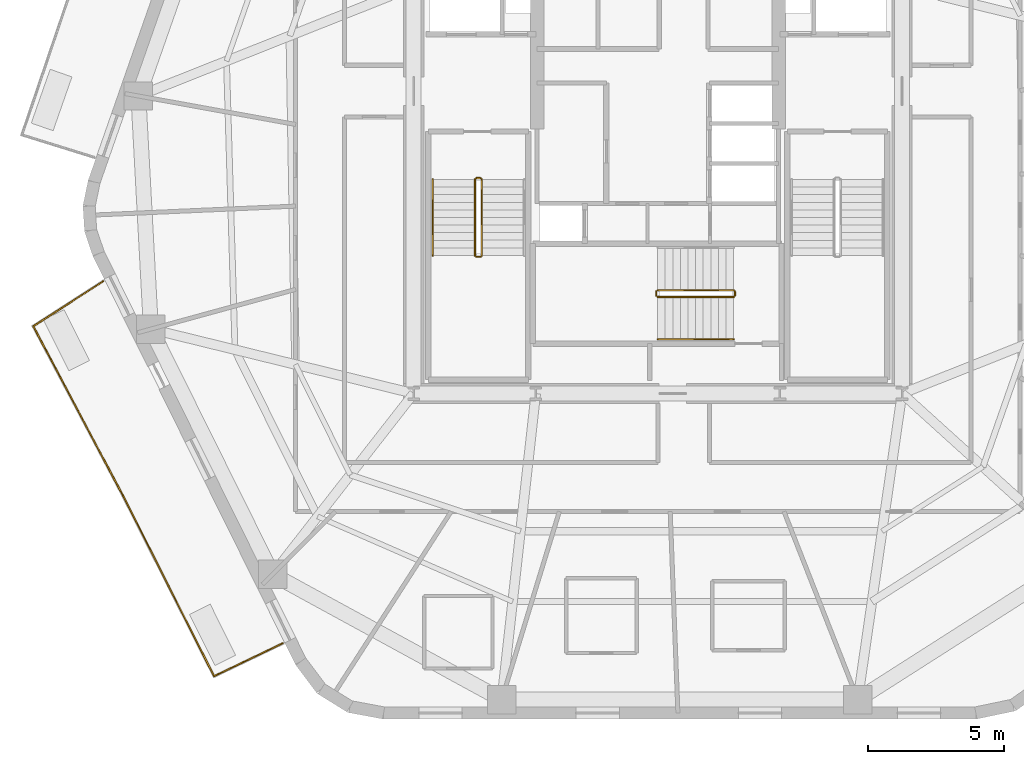
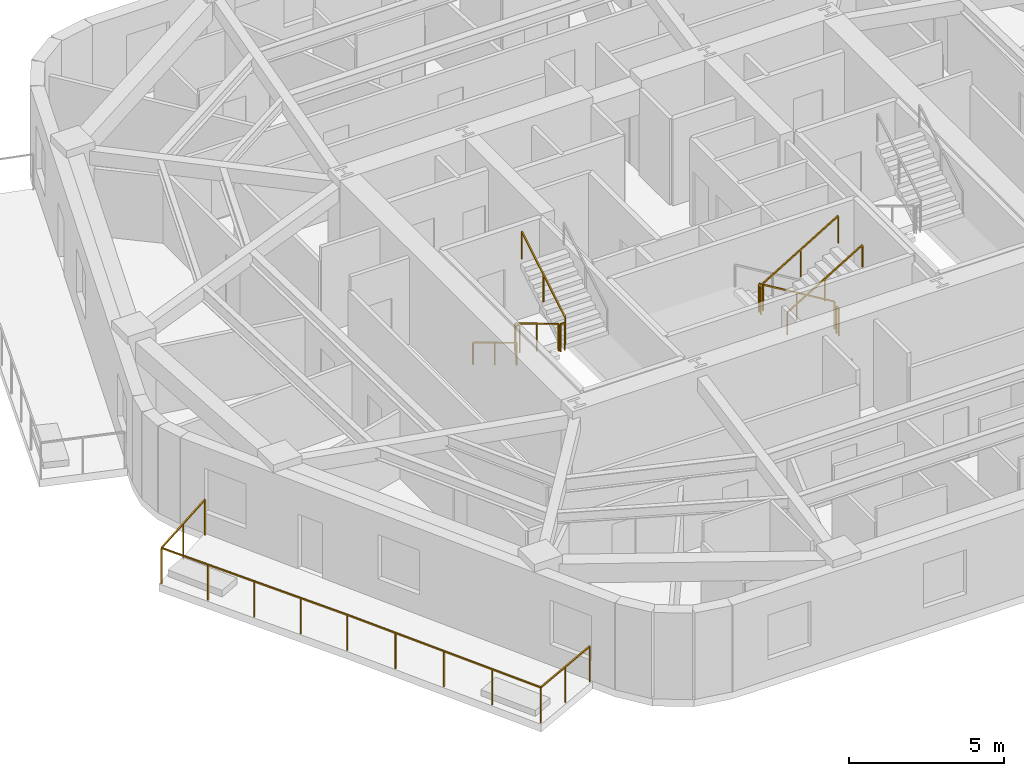
# One storey, part 8 of 10: 11 railings.
"""IFC4 building model written with IfcOpenShell, lengths in metres."""

import ifcopenshell
import ifcopenshell.guid

model = None  # the IFC model being written
_history = None  # IfcOwnerHistory: only IFC2X3 demands one
_inside = {}  # id of a spatial element -> (the spatial element, [elements in it])
_under = {}  # id of a project, library or spatial element -> (it, [spatial elements below it])
_declared = {}  # id of a project -> (the project, [libraries it declares])
_typed = {}  # id of a type object -> (the type object, [elements of that type])
_made_of = {}  # id of a material, layer set ... -> (it, [elements and type objects made of it])


def new_model(schema):
    """Start an empty IFC model of exactly this schema.

    Asked for "IFC4X3", IfcOpenShell would pick the latest addendum, in which some entities
    have other attributes; the version numbers below select the first issue.
    IFC2X3 requires an IfcOwnerHistory on every rooted entity: one is made here for all.
    """
    global model, _history
    if schema == "IFC4X3":
        model = ifcopenshell.file(schema_version=(4, 3, 0, 0))
    else:
        model = ifcopenshell.file(schema=schema)
    _inside.clear()
    _under.clear()
    _declared.clear()
    _typed.clear()
    _made_of.clear()
    _history = None
    if model.schema == "IFC2X3":
        org = make("IfcOrganization", Name="unknown")
        user = make(
            "IfcPersonAndOrganization",
            ThePerson=make("IfcPerson", FamilyName="unknown"),
            TheOrganization=org,
        )
        app = make(
            "IfcApplication",
            ApplicationDeveloper=org,
            Version="unknown",
            ApplicationFullName="unknown",
            ApplicationIdentifier="unknown",
        )
        _history = make(
            "IfcOwnerHistory",
            OwningUser=user,
            OwningApplication=app,
            ChangeAction="ADDED",
            CreationDate=0,
        )
    return model


def make(cls, **values):
    """One entity of the class cls with the attributes given. An attribute that is None is left unset."""
    return model.create_entity(
        cls, **{name: value for name, value in values.items() if value is not None}
    )


def rooted(cls, **values):
    """An entity with a GlobalId (a new one), such as an element, a storey or a relation."""
    return make(cls, GlobalId=ifcopenshell.guid.new(), OwnerHistory=_history, **values)


def si_unit(unit_type, name, prefix=None):
    """IfcSIUnit, for example si_unit("LENGTHUNIT", "METRE", prefix="MILLI")."""
    return make("IfcSIUnit", UnitType=unit_type, Prefix=prefix, Name=name)


def assignment(units):
    """IfcUnitAssignment: the units of a project."""
    return None if units is None else make("IfcUnitAssignment", Units=units)


def point(xyz):
    """IfcCartesianPoint."""
    return None if xyz is None else make("IfcCartesianPoint", Coordinates=xyz)


def direction(xyz):
    """IfcDirection."""
    return None if xyz is None else make("IfcDirection", DirectionRatios=xyz)


def frame(location, z_axis=None, x_axis=None):
    """IfcAxis2Placement3D, a coordinate frame: its origin and axes. An axis left out is left unset."""
    return make(
        "IfcAxis2Placement3D",
        Location=point(location),
        Axis=direction(z_axis),
        RefDirection=direction(x_axis),
    )


def frame_2d(location, x_axis=None):
    """IfcAxis2Placement2D, a coordinate frame in the plane: its origin and x axis."""
    return make(
        "IfcAxis2Placement2D", Location=point(location), RefDirection=direction(x_axis)
    )


def origin():
    """The frame at (0, 0, 0) with its axes left unset."""
    return frame((0.0, 0.0, 0.0))


def origin_2d():
    """The frame at (0, 0) in the plane with its x axis left unset."""
    return frame_2d((0.0, 0.0))


def place(relative_to, where):
    """IfcLocalPlacement: puts the frame where relative to a parent placement (None: the world)."""
    return make(
        "IfcLocalPlacement", PlacementRelTo=relative_to, RelativePlacement=where
    )


def context(
    kind, dimensions, precision=None, world=None, true_north=None, identifier=None
):
    """IfcGeometricRepresentationContext, for example the 3D "Model" context."""
    return make(
        "IfcGeometricRepresentationContext",
        ContextIdentifier=identifier,
        ContextType=kind,
        CoordinateSpaceDimension=dimensions,
        Precision=precision,
        WorldCoordinateSystem=world,
        TrueNorth=true_north,
    )


def subcontext(parent, identifier, kind, view, scale=None):
    """IfcGeometricRepresentationSubContext, for example "Body" below "Model"."""
    return make(
        "IfcGeometricRepresentationSubContext",
        ContextIdentifier=identifier,
        ContextType=kind,
        ParentContext=parent,
        TargetScale=scale,
        TargetView=view,
    )


def project(units=None, contexts=None):
    """IfcProject with its units and contexts."""
    return rooted(
        "IfcProject",
        Name="project",
        RepresentationContexts=contexts,
        UnitsInContext=assignment(units),
    )


def spatial(cls, under=None, at=None, **own):
    """A site, building, storey or space (cls), placed at a placement, below another one or the project."""
    s = rooted(cls, ObjectPlacement=at, **own)
    if under is not None:
        _under.setdefault(under.id(), (under, []))[1].append(s)
    return s


def profile(cls, at=None, kind="AREA", **sizes):
    """A parametric profile (cls). Its sizes go by their IFC names, for example OverallWidth=200.0."""
    return make(cls, ProfileType=kind, Position=at, **sizes)


def rectangle(**sizes):
    """IfcRectangleProfileDef."""
    return profile("IfcRectangleProfileDef", **sizes)


def extrude(swept, where, along, depth):
    """IfcExtrudedAreaSolid: the profile swept, set in the frame where, extruded along a direction by depth."""
    return make(
        "IfcExtrudedAreaSolid",
        SweptArea=swept,
        Position=where,
        ExtrudedDirection=direction(along),
        Depth=depth,
    )


def shape(context_of_items, identifier, shape_type, items):
    """IfcShapeRepresentation: the items that make up one representation, for example the "Body"."""
    return make(
        "IfcShapeRepresentation",
        ContextOfItems=context_of_items,
        RepresentationIdentifier=identifier,
        RepresentationType=shape_type,
        Items=items,
    )


def material(Name=None, Category=None):
    """IfcMaterial."""
    return make("IfcMaterial", Name=Name, Category=Category)


def layer(
    of_material, thickness, ventilated=None, Name=None, Category=None, Priority=None
):
    """IfcMaterialLayer: one layer of a wall or slab, of a material (None: an air gap)."""
    return make(
        "IfcMaterialLayer",
        Material=of_material,
        LayerThickness=thickness,
        IsVentilated=ventilated,
        Name=Name,
        Category=Category,
        Priority=Priority,
    )


def layer_set(layers, Name=None):
    """IfcMaterialLayerSet."""
    return make("IfcMaterialLayerSet", MaterialLayers=layers, LayerSetName=Name)


def made_of(thing, what):
    """Note that an element or type object is made of a material, layer set ...; save() writes the relation."""
    if what is not None:
        _made_of.setdefault(what.id(), (what, []))[1].append(thing)
    return thing


def type_object(cls, material=None, **own):
    """A type object (cls), such as IfcWallType, which elements share."""
    return made_of(rooted(cls, **own), material)


def element(
    cls,
    number,
    at=None,
    inside=None,
    cuts=None,
    type_object=None,
    material=None,
    context=None,
    identifier="Body",
    shape_type=None,
    held_by="IfcProductDefinitionShape",
    body=None,
    shapes=None,
    **own,
):
    """One element of the class cls, such as IfcWall. Its Tag is "e" and its number.

    at: its placement. inside: the storey or other place that contains it. cuts: it is an
    opening in that element (IfcRelVoidsElement). A single representation is given by context,
    identifier, shape_type and body (its items); several are given by shapes. held_by: the class
    of the entity that holds the representations. save() writes the other relations.
    """
    e = rooted(cls, Tag="e%d" % number, ObjectPlacement=at, **own)
    if body is not None:
        shapes = [shape(context, identifier, shape_type, body)]
    if shapes is not None:
        e.Representation = make(held_by, Representations=shapes)
    if inside is not None:
        _inside.setdefault(inside.id(), (inside, []))[1].append(e)
    if cuts is not None:
        rooted(
            "IfcRelVoidsElement", RelatingBuildingElement=cuts, RelatedOpeningElement=e
        )
    if type_object is not None:
        _typed.setdefault(type_object.id(), (type_object, []))[1].append(e)
    return made_of(e, material)


def aggregate(whole, parts):
    """IfcRelAggregates: a whole, such as a stair, and the parts it consists of."""
    return rooted("IfcRelAggregates", RelatingObject=whole, RelatedObjects=parts)


def save(model, path):
    """Write the relations noted so far, then the file.

    IfcRelAggregates (storeys below a building ...), IfcRelContainedInSpatialStructure (elements
    in a storey), IfcRelDefinesByType, IfcRelAssociatesMaterial and IfcRelDeclares: one each for
    every whole, place, type object, material and project.
    """
    for whole, parts in _under.values():
        aggregate(whole, parts)
    for where, things in _inside.values():
        rooted(
            "IfcRelContainedInSpatialStructure",
            RelatedElements=things,
            RelatingStructure=where,
        )
    for kind, things in _typed.values():
        rooted("IfcRelDefinesByType", RelatedObjects=things, RelatingType=kind)
    for what, things in _made_of.values():
        rooted("IfcRelAssociatesMaterial", RelatedObjects=things, RelatingMaterial=what)
    for by, libraries in _declared.values():
        rooted("IfcRelDeclares", RelatingContext=by, RelatedDefinitions=libraries)
    model.write(path)


model = new_model("IFC4")

# Units and contexts
model_context = context("Model", 3, precision=1e-05, world=origin(), true_north=direction((0.0, 1.0)))
body_context = subcontext(model_context, "Body", "Model", "MODEL_VIEW")
ifc_project = project(units=[si_unit("LENGTHUNIT", "METRE"), si_unit("AREAUNIT", "SQUARE_METRE"), si_unit("VOLUMEUNIT", "CUBIC_METRE"), si_unit("PLANEANGLEUNIT", "RADIAN"), si_unit("MASSUNIT", "GRAM", prefix="KILO")], contexts=[model_context])

# Site, building, storey
site_placement = place(None, origin())
site = spatial("IfcSite", under=ifc_project, at=site_placement, CompositionType="ELEMENT")
building_placement = place(site_placement, origin())
building = spatial("IfcBuilding", under=site, at=building_placement, Name="Kilnhurst Terrace Hotel", CompositionType="ELEMENT")
storey_placement = place(building_placement, frame((0.0, 0.0, 175.60009765625)))
storey = spatial("IfcBuildingStorey", under=building, at=storey_placement, Name="L43", CompositionType="ELEMENT", Elevation=175.60009765625)

# Railings
ifc_material_1 = material(Name="Laminated SentryGlas and Stainless Steel AISI 316L Balustrade", Category="steel")
ifc_layer_1 = layer(ifc_material_1, 0.070068359375, Name="Laminated SentryGlas and Stainless Steel AISI 316L Balustrade")
ifc_layer_set_1 = layer_set([ifc_layer_1], Name="Laminated SentryGlas and Stainless Steel AISI 316L Balustrade")
railing_type_1 = type_object("IfcRailingType", Name="RLG-BAL-1420", PredefinedType="BALUSTRADE", material=ifc_layer_set_1)
railing_1_placement = place(storey_placement, frame((-13.83544921875, -16.709716796875, 0.0)))
element("IfcRailing", 1, at=railing_1_placement, inside=storey, type_object=railing_type_1, Name="L43 Exterior Terrace Guardrail BAL-L2B.1", PredefinedType="BALUSTRADE", context=body_context, shape_type="SweptSolid", body=[
    extrude(rectangle(XDim=0.048095703125, YDim=0.048095703125, at=origin_2d()), frame((0.0, 0.0, 1.39599609375), z_axis=(-0.901469931109, -0.43284173009, 0.0), x_axis=(0.43284173009, -0.901469931109, 0.0)), (0.0, 0.0, 1.0), 2.797119140625),
    extrude(rectangle(XDim=0.048095703125, YDim=0.048095703125, at=origin_2d()), frame((-2.521484375, -1.210693359375, 1.39599609375), z_axis=(-0.450616671131, 0.892717545307, 0.0), x_axis=(-0.892717545307, -0.450616671131, 0.0)), (0.0, 0.0, 1.0), 7.453857421875),
    extrude(rectangle(XDim=0.048095703125, YDim=0.048095703125, at=origin_2d()), frame((-5.88037109375, 5.443603515625, 1.39599609375), z_axis=(-0.4472135955, 0.894427191, 0.0), x_axis=(-0.894427191, -0.4472135955, 0.0)), (0.0, 0.0, 1.0), 0.0009765625),
    extrude(rectangle(XDim=0.048095703125, YDim=0.048095703125, at=origin_2d()), frame((-5.880859375, 5.444580078125, 1.39599609375), z_axis=(-0.46789407085, 0.883784554325, 0.0), x_axis=(-0.883784554325, -0.46789407085, 0.0)), (0.0, 0.0, 1.0), 7.0654296875),
    extrude(rectangle(XDim=0.048095703125, YDim=0.048095703125, at=origin_2d()), frame((-9.186767578125, 11.68896484375, 1.39599609375), z_axis=(0.841139546062, 0.540818143233, 0.0), x_axis=(-0.540818143233, 0.841139546062, 0.0)), (0.0, 0.0, 1.0), 3.056640625),
    extrude(rectangle(XDim=0.0419921875, YDim=0.0419921875, at=origin_2d()), origin(), (0.0, 0.0, 1.0), 1.371826171875),
    extrude(rectangle(XDim=0.0419921875, YDim=0.0419921875, at=origin_2d()), frame((-1.2607421875, -0.60546875, 0.0)), (0.0, 0.0, 1.0), 1.371826171875),
    extrude(rectangle(XDim=0.0419921875, YDim=0.0419921875, at=origin_2d()), frame((-2.521484375, -1.210693359375, 0.0)), (0.0, 0.0, 1.0), 1.371826171875),
    extrude(rectangle(XDim=0.0419921875, YDim=0.0419921875, at=origin_2d()), frame((-3.361328125, 0.452880859375, 0.0)), (0.0, 0.0, 1.0), 1.371826171875),
    extrude(rectangle(XDim=0.0419921875, YDim=0.0419921875, at=origin_2d()), frame((-4.200927734375, 2.116455078125, 0.0)), (0.0, 0.0, 1.0), 1.371826171875),
    extrude(rectangle(XDim=0.0419921875, YDim=0.0419921875, at=origin_2d()), frame((-5.04052734375, 3.780029296875, 0.0)), (0.0, 0.0, 1.0), 1.371826171875),
    extrude(rectangle(XDim=0.0419921875, YDim=0.0419921875, at=origin_2d()), frame((-5.88037109375, 5.443603515625, 0.0)), (0.0, 0.0, 1.0), 1.371826171875),
    extrude(rectangle(XDim=0.0419921875, YDim=0.0419921875, at=origin_2d()), frame((-5.880859375, 5.444580078125, 0.0)), (0.0, 0.0, 1.0), 1.371826171875),
    extrude(rectangle(XDim=0.0419921875, YDim=0.0419921875, at=origin_2d()), frame((-6.707275390625, 7.005615234375, 0.0)), (0.0, 0.0, 1.0), 1.371826171875),
    extrude(rectangle(XDim=0.0419921875, YDim=0.0419921875, at=origin_2d()), frame((-7.53369140625, 8.56689453125, 0.0)), (0.0, 0.0, 1.0), 1.371826171875),
    extrude(rectangle(XDim=0.0419921875, YDim=0.0419921875, at=origin_2d()), frame((-8.3603515625, 10.1279296875, 0.0)), (0.0, 0.0, 1.0), 1.371826171875),
    extrude(rectangle(XDim=0.0419921875, YDim=0.0419921875, at=origin_2d()), frame((-9.186767578125, 11.68896484375, 0.0)), (0.0, 0.0, 1.0), 1.371826171875),
    extrude(rectangle(XDim=0.0419921875, YDim=0.0419921875, at=origin_2d()), frame((-7.9013671875, 12.515625, 0.0)), (0.0, 0.0, 1.0), 1.371826171875),
    extrude(rectangle(XDim=0.0419921875, YDim=0.0419921875, at=origin_2d()), frame((-6.61572265625, 13.342041015625, 0.0)), (0.0, 0.0, 1.0), 1.371826171875),
])
ifc_material_2 = material(Name="Powder-Coated Steel ASTM A500 Grade B", Category="steel")
ifc_layer_2 = layer(ifc_material_2, 0.050048828125, Name="Powder-Coated Steel ASTM A500 Grade B")
ifc_layer_set_2 = layer_set([ifc_layer_2], Name="Powder-Coated Steel ASTM A500 Grade B")
railing_type_2 = type_object("IfcRailingType", Name="RLG-ST-GRD-1100", PredefinedType="GUARDRAIL", material=ifc_layer_set_2)
railing_2_placement = place(storey_placement, frame((-6.739990234375, 0.389892578125, 0.16796875)))
element("IfcRailing", 2, at=railing_2_placement, inside=storey, type_object=railing_type_2, Name="L43 ST-1 stair guard 1", PredefinedType="GUARDRAIL", context=body_context, shape_type="SweptSolid", body=[
    extrude(rectangle(XDim=0.048095703125, YDim=0.048095703125, at=origin_2d()), frame((0.0, 0.0, 1.076171875), z_axis=(0.0, -0.857222391501, 0.514946377315), x_axis=(1.0, 0.0, 0.0)), (0.0, 0.0, 1.0), 3.26611328125),
    extrude(rectangle(XDim=0.0419921875, YDim=0.0419921875, at=origin_2d()), origin(), (0.0, 0.0, 1.0), 1.052001953125),
    extrude(rectangle(XDim=0.0419921875, YDim=0.0419921875, at=origin_2d()), frame((0.0, -1.39990234375, 0.8408203125)), (0.0, 0.0, 1.0), 1.052001953125),
    extrude(rectangle(XDim=0.0419921875, YDim=0.0419921875, at=origin_2d()), frame((0.0, -2.7998046875, 1.681884765625)), (0.0, 0.0, 1.0), 1.052001953125),
])
railing_3_placement = place(storey_placement, frame((-6.68994140625, -2.4599609375, 1.849853515625)))
element("IfcRailing", 3, at=railing_3_placement, inside=storey, type_object=railing_type_2, Name="L43 ST-1 stair guard 2", PredefinedType="GUARDRAIL", context=body_context, shape_type="SweptSolid", body=[
    extrude(rectangle(XDim=0.048095703125, YDim=0.048095703125, at=origin_2d()), frame((0.0, 0.0, 1.076171875), z_axis=(1.0, 0.0, 0.0), x_axis=(0.0, 1.0, 0.0)), (0.0, 0.0, 1.0), 0.14990234375),
    extrude(rectangle(XDim=0.0419921875, YDim=0.0419921875, at=origin_2d()), origin(), (0.0, 0.0, 1.0), 1.052001953125),
    extrude(rectangle(XDim=0.0419921875, YDim=0.0419921875, at=origin_2d()), frame((0.14990234375, 0.0, 0.0)), (0.0, 0.0, 1.0), 1.052001953125),
])
railing_4_placement = place(storey_placement, frame((-6.489990234375, -2.409912109375, 2.01806640625)))
element("IfcRailing", 4, at=railing_4_placement, inside=storey, type_object=railing_type_2, Name="L43 ST-1 stair guard 3", PredefinedType="GUARDRAIL", context=body_context, shape_type="SweptSolid", body=[
    extrude(rectangle(XDim=0.048095703125, YDim=0.048095703125, at=origin_2d()), frame((0.0, 0.0, 1.076171875), z_axis=(0.0, 0.857222391501, 0.514946377315), x_axis=(-1.0, 0.0, 0.0)), (0.0, 0.0, 1.0), 3.26611328125),
    extrude(rectangle(XDim=0.0419921875, YDim=0.0419921875, at=origin_2d()), origin(), (0.0, 0.0, 1.0), 1.052001953125),
    extrude(rectangle(XDim=0.0419921875, YDim=0.0419921875, at=origin_2d()), frame((0.0, 1.39990234375, 0.8408203125)), (0.0, 0.0, 1.0), 1.052001953125),
    extrude(rectangle(XDim=0.0419921875, YDim=0.0419921875, at=origin_2d()), frame((0.0, 2.7998046875, 1.681884765625)), (0.0, 0.0, 1.0), 1.052001953125),
])
railing_5_placement = place(storey_placement, frame((-6.68994140625, 0.43994140625, 0.0)))
element("IfcRailing", 5, at=railing_5_placement, inside=storey, type_object=railing_type_2, Name="L43 ST-1 stair guard 4", PredefinedType="GUARDRAIL", context=body_context, shape_type="SweptSolid", body=[
    extrude(rectangle(XDim=0.048095703125, YDim=0.048095703125, at=origin_2d()), frame((0.0, 0.0, 1.076171875), z_axis=(1.0, 0.0, 0.0), x_axis=(0.0, 1.0, 0.0)), (0.0, 0.0, 1.0), 0.14990234375),
    extrude(rectangle(XDim=0.0419921875, YDim=0.0419921875, at=origin_2d()), origin(), (0.0, 0.0, 1.0), 1.052001953125),
    extrude(rectangle(XDim=0.0419921875, YDim=0.0419921875, at=origin_2d()), frame((0.14990234375, 0.0, 0.0)), (0.0, 0.0, 1.0), 1.052001953125),
])
railing_6_placement = place(storey_placement, frame((2.7900390625, -3.68994140625, 0.16796875)))
element("IfcRailing", 6, at=railing_6_placement, inside=storey, type_object=railing_type_2, Name="L43 ST-3 stair guard 1", PredefinedType="GUARDRAIL", context=body_context, shape_type="SweptSolid", body=[
    extrude(rectangle(XDim=0.048095703125, YDim=0.048095703125, at=origin_2d()), frame((0.0, 0.0, 1.076171875), z_axis=(-0.857242210791, 0.0, 0.514913383045), x_axis=(0.0, -1.0, 0.0)), (0.0, 0.0, 1.0), 3.266357421875),
    extrude(rectangle(XDim=0.0419921875, YDim=0.0419921875, at=origin_2d()), origin(), (0.0, 0.0, 1.0), 1.052001953125),
    extrude(rectangle(XDim=0.0419921875, YDim=0.0419921875, at=origin_2d()), frame((-1.39990234375, 0.0, 0.8408203125)), (0.0, 0.0, 1.0), 1.052001953125),
    extrude(rectangle(XDim=0.0419921875, YDim=0.0419921875, at=origin_2d()), frame((-2.800048828125, 0.0, 1.681884765625)), (0.0, 0.0, 1.0), 1.052001953125),
])
railing_7_placement = place(storey_placement, frame((-0.06005859375, -3.739990234375, 1.849853515625)))
element("IfcRailing", 7, at=railing_7_placement, inside=storey, type_object=railing_type_2, Name="L43 ST-3 stair guard 2", PredefinedType="GUARDRAIL", context=body_context, shape_type="SweptSolid", body=[
    extrude(rectangle(XDim=0.048095703125, YDim=0.048095703125, at=origin_2d()), frame((0.0, 0.0, 1.076171875), z_axis=(0.0, -1.0, 0.0), x_axis=(1.0, 0.0, 0.0)), (0.0, 0.0, 1.0), 0.14990234375),
    extrude(rectangle(XDim=0.0419921875, YDim=0.0419921875, at=origin_2d()), origin(), (0.0, 0.0, 1.0), 1.052001953125),
    extrude(rectangle(XDim=0.0419921875, YDim=0.0419921875, at=origin_2d()), frame((0.0, -0.14990234375, 0.0)), (0.0, 0.0, 1.0), 1.052001953125),
])
railing_8_placement = place(storey_placement, frame((-0.010009765625, -3.93994140625, 2.01806640625)))
element("IfcRailing", 8, at=railing_8_placement, inside=storey, type_object=railing_type_2, Name="L43 ST-3 stair guard 3", PredefinedType="GUARDRAIL", context=body_context, shape_type="SweptSolid", body=[
    extrude(rectangle(XDim=0.048095703125, YDim=0.048095703125, at=origin_2d()), frame((0.0, 0.0, 1.076171875), z_axis=(0.857242210791, 0.0, 0.514913383045), x_axis=(0.0, 1.0, 0.0)), (0.0, 0.0, 1.0), 3.266357421875),
    extrude(rectangle(XDim=0.0419921875, YDim=0.0419921875, at=origin_2d()), origin(), (0.0, 0.0, 1.0), 1.052001953125),
    extrude(rectangle(XDim=0.0419921875, YDim=0.0419921875, at=origin_2d()), frame((1.39990234375, 0.0, 0.8408203125)), (0.0, 0.0, 1.0), 1.052001953125),
    extrude(rectangle(XDim=0.0419921875, YDim=0.0419921875, at=origin_2d()), frame((2.800048828125, 0.0, 1.681884765625)), (0.0, 0.0, 1.0), 1.052001953125),
])
railing_9_placement = place(storey_placement, frame((2.840087890625, -3.739990234375, 0.0)))
element("IfcRailing", 9, at=railing_9_placement, inside=storey, type_object=railing_type_2, Name="L43 ST-3 stair guard 4", PredefinedType="GUARDRAIL", context=body_context, shape_type="SweptSolid", body=[
    extrude(rectangle(XDim=0.048095703125, YDim=0.048095703125, at=origin_2d()), frame((0.0, 0.0, 1.076171875), z_axis=(0.0, -1.0, 0.0), x_axis=(1.0, 0.0, 0.0)), (0.0, 0.0, 1.0), 0.14990234375),
    extrude(rectangle(XDim=0.0419921875, YDim=0.0419921875, at=origin_2d()), origin(), (0.0, 0.0, 1.0), 1.052001953125),
    extrude(rectangle(XDim=0.0419921875, YDim=0.0419921875, at=origin_2d()), frame((0.0, -0.14990234375, 0.0)), (0.0, 0.0, 1.0), 1.052001953125),
])
ifc_material_3 = material(Name="Brushed Stainless Steel AISI 304", Category="steel")
ifc_layer_3 = layer(ifc_material_3, 0.048095703125, Name="Brushed Stainless Steel AISI 304")
ifc_layer_set_3 = layer_set([ifc_layer_3], Name="Brushed Stainless Steel AISI 304")
railing_type_3 = type_object("IfcRailingType", Name="RLG-ST-HRL-900", PredefinedType="HANDRAIL", material=ifc_layer_set_3)
railing_10_placement = place(storey_placement, frame((-8.300048828125, 0.389892578125, 0.16796875)))
element("IfcRailing", 10, at=railing_10_placement, inside=storey, type_object=railing_type_3, Name="L43 ST-1 stair handrail 1", PredefinedType="HANDRAIL", context=body_context, shape_type="SweptSolid", body=[
    extrude(rectangle(XDim=0.048095703125, YDim=0.048095703125, at=origin_2d()), frame((0.0, 0.0, 0.8759765625), z_axis=(0.0, -0.857222391501, 0.514946377315), x_axis=(1.0, 0.0, 0.0)), (0.0, 0.0, 1.0), 3.26611328125),
    extrude(rectangle(XDim=0.0419921875, YDim=0.0419921875, at=origin_2d()), origin(), (0.0, 0.0, 1.0), 0.851806640625),
    extrude(rectangle(XDim=0.0419921875, YDim=0.0419921875, at=origin_2d()), frame((0.0, -1.39990234375, 0.8408203125)), (0.0, 0.0, 1.0), 0.851806640625),
    extrude(rectangle(XDim=0.0419921875, YDim=0.0419921875, at=origin_2d()), frame((0.0, -2.7998046875, 1.681884765625)), (0.0, 0.0, 1.0), 0.851806640625),
])
railing_11_placement = place(storey_placement, frame((-0.010009765625, -5.5, 2.01806640625)))
element("IfcRailing", 11, at=railing_11_placement, inside=storey, type_object=railing_type_3, Name="L43 ST-3 stair handrail 2", PredefinedType="HANDRAIL", context=body_context, shape_type="SweptSolid", body=[
    extrude(rectangle(XDim=0.048095703125, YDim=0.048095703125, at=origin_2d()), frame((0.0, 0.0, 0.8759765625), z_axis=(0.857242210791, 0.0, 0.514913383045), x_axis=(0.0, 1.0, 0.0)), (0.0, 0.0, 1.0), 3.266357421875),
    extrude(rectangle(XDim=0.0419921875, YDim=0.0419921875, at=origin_2d()), origin(), (0.0, 0.0, 1.0), 0.851806640625),
    extrude(rectangle(XDim=0.0419921875, YDim=0.0419921875, at=origin_2d()), frame((1.39990234375, 0.0, 0.8408203125)), (0.0, 0.0, 1.0), 0.851806640625),
    extrude(rectangle(XDim=0.0419921875, YDim=0.0419921875, at=origin_2d()), frame((2.800048828125, 0.0, 1.681884765625)), (0.0, 0.0, 1.0), 0.851806640625),
])

save(model, "model.ifc")
